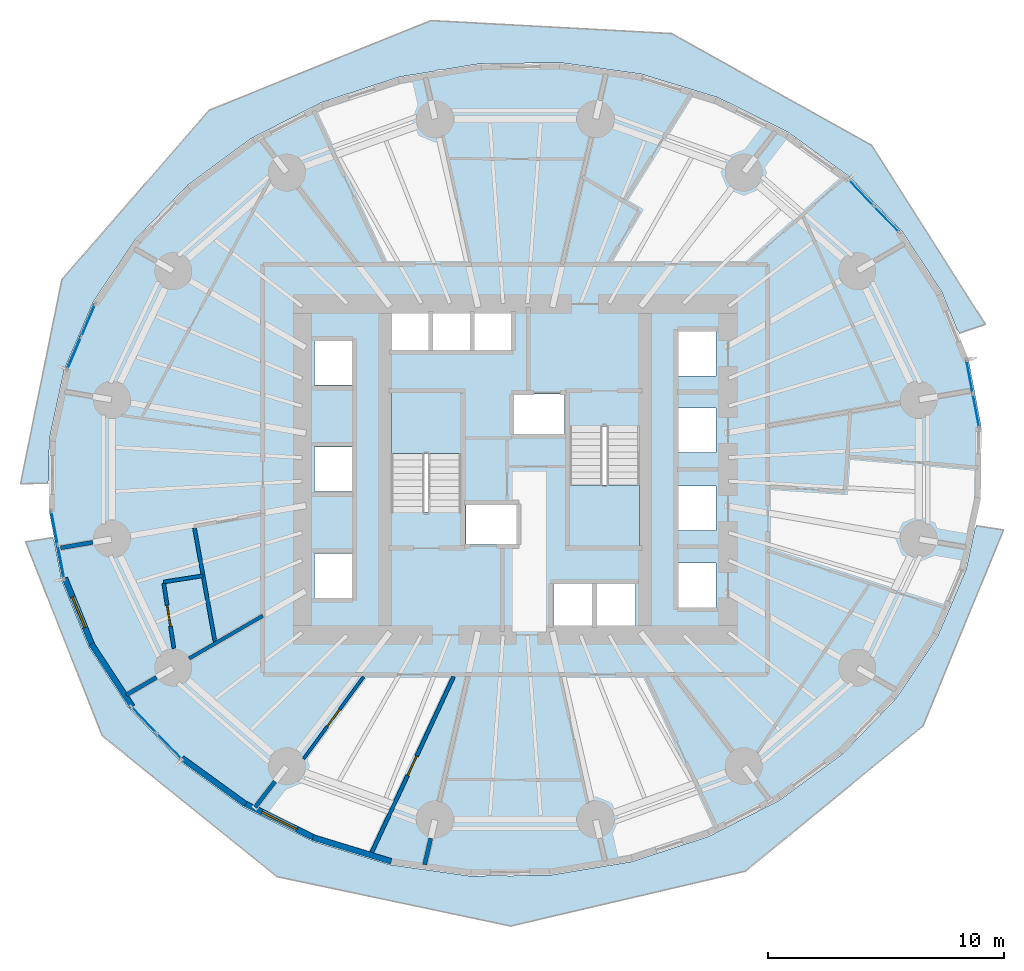
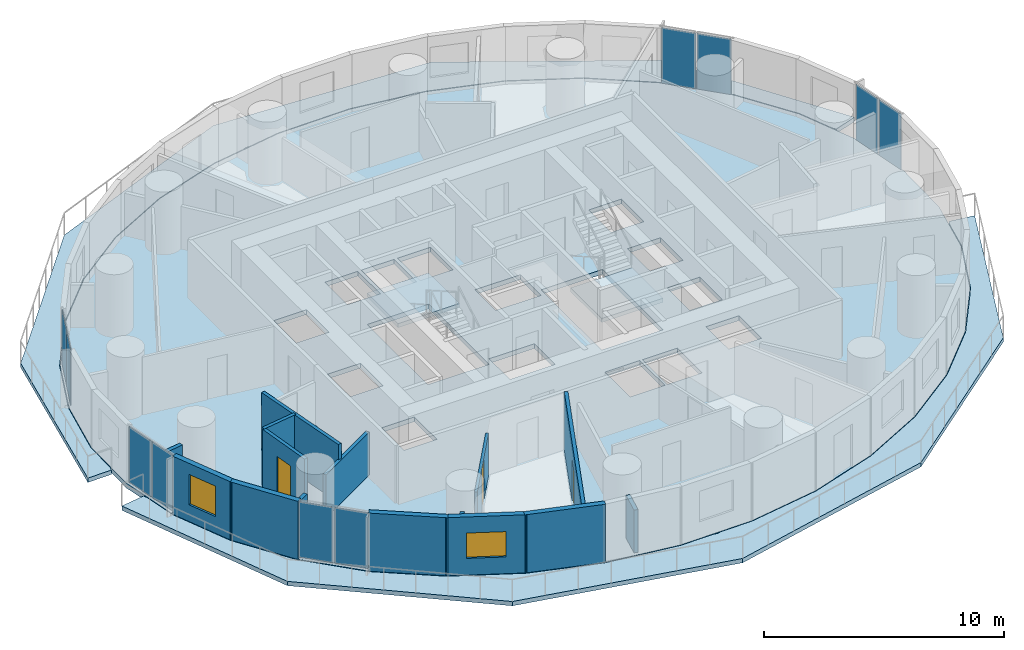
# One storey, part 6 of 14: 15 walls, 10 plates, 5 slabs, 3 doors, 2 windows, 5 openings, 7 elements without a shape of their own.
"""IFC4 building model written with IfcOpenShell, lengths in metres."""

from ifc_helpers import new_model, si_unit, direction, frame, frame_2d, origin, origin_2d, place, context, subcontext, project, spatial, polyline, rectangle, outline, extrude, material, layer, layer_set, type_object, element, fill, aggregate, save


model = new_model("IFC4")

# Units and contexts
model_context = context("Model", 3, precision=1e-05, world=origin(), true_north=direction((0.0, 1.0)))
body_context = subcontext(model_context, "Body", "Model", "MODEL_VIEW")
ifc_project = project(units=[si_unit("LENGTHUNIT", "METRE"), si_unit("AREAUNIT", "SQUARE_METRE"), si_unit("VOLUMEUNIT", "CUBIC_METRE"), si_unit("PLANEANGLEUNIT", "RADIAN"), si_unit("MASSUNIT", "GRAM", prefix="KILO")], contexts=[model_context])

# Site, building, storey
site_placement = place(None, origin())
site = spatial("IfcSite", under=ifc_project, at=site_placement, CompositionType="ELEMENT")
building_placement = place(site_placement, origin())
building = spatial("IfcBuilding", under=site, at=building_placement, Name="Veldorim Arch Residences", CompositionType="ELEMENT")
storey_placement = place(building_placement, frame((0.0, 0.0, 28.0)))
storey = spatial("IfcBuildingStorey", under=building, at=storey_placement, Name="L07", CompositionType="ELEMENT", Elevation=28.0)

# Slabs
ifc_material_1 = material(Name="Concrete C40/50", Category="concrete")
ifc_layer_1 = layer(ifc_material_1, 0.219970703125, Name="Planted Crescent Cantilever Balcony Slab 220")
ifc_layer_set_1 = layer_set([ifc_layer_1], Name="Concrete C40/50")
slab_type_1 = type_object("IfcSlabType", Name="Planted Crescent Cantilever Balcony Slab 220", PredefinedType="FLOOR", material=ifc_layer_set_1)
slab_1_placement = place(storey_placement, frame((0.0, 0.0, -0.219970703125)))
element("IfcSlab", 1, at=slab_1_placement, inside=storey, type_object=slab_type_1, Name="L07 planted crescent balcony slab A", PredefinedType="FLOOR", context=body_context, shape_type="SweptSolid", body=[
    extrude(outline(polyline([(50.68505859375, 29.9228515625), (50.039306640625, 31.50634765625), (48.34521484375, 34.0888671875), (46.154296875, 36.364501953125), (43.533447265625, 38.2646484375), (40.562255859375, 39.731201171875), (37.331298828125, 40.719482421875), (33.9384765625, 41.2001953125), (30.48681640625, 41.158447265625), (28.98876953125, 40.910888671875), (28.791015625, 40.919189453125), (28.60693359375, 40.84765625), (27.0810546875, 40.595458984375), (23.82470703125, 39.5283203125), (20.81640625, 37.989501953125), (18.14794921875, 36.02587890625), (15.900146484375, 33.696533203125), (14.141357421875, 31.072265625), (12.92529296875, 28.23291015625), (12.288818359375, 25.264892578125), (12.268310546875, 23.6015625), (12.219482421875, 23.41748046875), (11.06982421875, 23.393798828125), (12.82080078125, 32.031005859375), (19.05859375, 39.198486328125), (28.426513671875, 42.9873046875), (38.608642578125, 42.4375), (47.082763671875, 37.701171875), (51.885498046875, 30.13818359375), (50.797119140625, 29.767333984375), (50.68505859375, 29.9228515625)])), origin(), (0.0, 0.0, 1.0), 0.219970703125),
])
slab_2_placement = place(storey_placement, frame((0.0, 0.0, -0.219970703125)))
element("IfcSlab", 2, at=slab_2_placement, inside=storey, type_object=slab_type_1, Name="L07 planted crescent balcony slab B", PredefinedType="FLOOR", context=body_context, shape_type="SweptSolid", body=[
    extrude(outline(polyline([(12.503173828125, 20.9384765625), (12.814453125, 19.3046875), (13.960693359375, 16.49365234375), (15.65478515625, 13.9111328125), (17.845703125, 11.635498046875), (20.466552734375, 9.7353515625), (23.437744140625, 8.268798828125), (26.668701171875, 7.280517578125), (30.0615234375, 6.7998046875), (31.6083984375, 6.818359375), (31.8017578125, 6.7802734375), (31.994873046875, 6.822998046875), (33.51318359375, 6.841552734375), (36.9189453125, 7.404541015625), (40.17529296875, 8.4716796875), (43.18359375, 10.010498046875), (45.85205078125, 11.97412109375), (48.099853515625, 14.303466796875), (49.858642578125, 16.927734375), (51.07470703125, 19.76708984375), (51.43310546875, 21.438720703125), (51.516357421875, 21.611572265625), (52.653076171875, 21.43701171875), (49.248046875, 13.150146484375), (41.733642578125, 7.00390625), (31.8046875, 4.680419921875), (21.91845703125, 6.77099609375), (14.5224609375, 12.736083984375), (11.286865234375, 20.93359375), (12.4228515625, 21.111572265625), (12.503173828125, 20.9384765625)])), origin(), (0.0, 0.0, 1.0), 0.219970703125),
])

# Stair, slab
ifc_material_2 = material(Name="Concrete C40/50", Category="concrete")
stair_type = type_object("IfcStairType", Name="Reinforced Concrete Dogleg Exit Staircase", PredefinedType="HALF_TURN_STAIR", material=ifc_material_2)
stair_1_placement = place(storey_placement, origin())
stair_1 = element("IfcStair", 3, at=stair_1_placement, inside=storey, type_object=stair_type, Name="L07 Exit Staircase ST-1", PredefinedType="HALF_TURN_STAIR")
ifc_material_3 = material(Name="Concrete C40/50", Category="concrete")
ifc_layer_2 = layer(ifc_material_3, 0.199951171875, Name="Reinforced Concrete Stair Landing 200")
ifc_layer_set_2 = layer_set([ifc_layer_2], Name="Concrete C40/50")
slab_type_2 = type_object("IfcSlabType", Name="Reinforced Concrete Stair Landing 200", PredefinedType="LANDING", material=ifc_layer_set_2)
slab_3_placement = place(storey_placement, frame((0.0, 0.0, 1.39990234375)))
slab_3 = element("IfcSlab", 4, at=slab_3_placement, type_object=slab_type_2, Name="ST-1 landing 1", PredefinedType="LANDING", context=body_context, shape_type="SweptSolid", body=[
    extrude(outline(polyline([(29.7099609375, 24.669921875), (29.7099609375, 27.25), (26.75, 27.25), (26.75, 24.669921875), (29.7099609375, 24.669921875)])), origin(), (0.0, 0.0, 1.0), 0.2001953125),
])
aggregate(stair_1, [slab_3])

stair_2_placement = place(storey_placement, origin())
stair_2 = element("IfcStair", 5, at=stair_2_placement, inside=storey, type_object=stair_type, Name="L07 Exit Staircase ST-2", PredefinedType="HALF_TURN_STAIR")
slab_4_placement = place(storey_placement, frame((0.0, 0.0, 1.39990234375)))
slab_4 = element("IfcSlab", 6, at=slab_4_placement, type_object=slab_type_2, Name="ST-2 landing 1", PredefinedType="LANDING", context=body_context, shape_type="SweptSolid", body=[
    extrude(outline(polyline([(34.2900390625, 23.330078125), (34.2900390625, 20.75), (37.25, 20.75), (37.25, 23.330078125), (34.2900390625, 23.330078125)])), origin(), (0.0, 0.0, 1.0), 0.2001953125),
])
aggregate(stair_2, [slab_4])

# Slab
ifc_material_4 = material(Name="Concrete C40/50", Category="concrete")
ifc_layer_3 = layer(ifc_material_4, 0.239990234375, Name="Typical Residential Floor Slab 240")
ifc_layer_set_3 = layer_set([ifc_layer_3], Name="Concrete C40/50")
slab_type_3 = type_object("IfcSlabType", Name="Typical Residential Floor Slab 240", PredefinedType="FLOOR", material=ifc_layer_set_3)
slab_5_placement = place(storey_placement, frame((0.0, 0.0, -0.239990234375)))
element("IfcSlab", 7, at=slab_5_placement, inside=storey, type_object=slab_type_3, Name="L07 tower structural floor slab", PredefinedType="FLOOR", context=body_context, shape_type="SweptSolid", body=[
    extrude(outline(polyline([(51.723388671875, 25.739501953125), (51.161376953125, 28.688232421875), (50.01708984375, 31.49462890625), (48.325439453125, 34.0732421875), (46.1376953125, 36.345703125), (43.5205078125, 38.2431640625), (40.552978515625, 39.707763671875), (37.325927734375, 40.695068359375), (33.93701171875, 41.17529296875), (30.489013671875, 41.133544921875), (27.0869140625, 40.571044921875), (23.834228515625, 39.50537109375), (20.82958984375, 37.96826171875), (18.16455078125, 36.0068359375), (15.919677734375, 33.6806640625), (14.16357421875, 31.060302734375), (12.94921875, 28.225341796875), (12.313720703125, 25.26220703125), (12.276611328125, 22.260498046875), (12.838623046875, 19.311767578125), (13.98291015625, 16.50537109375), (15.674560546875, 13.9267578125), (17.8623046875, 11.654296875), (20.4794921875, 9.7568359375), (23.447021484375, 8.292236328125), (26.674072265625, 7.304931640625), (30.06298828125, 6.82470703125), (33.510986328125, 6.866455078125), (36.9130859375, 7.428955078125), (40.165771484375, 8.49462890625), (43.17041015625, 10.03173828125), (45.83544921875, 11.9931640625), (48.080322265625, 14.3193359375), (49.83642578125, 16.939697265625), (51.05078125, 19.774658203125), (51.686279296875, 22.73779296875), (51.723388671875, 25.739501953125)]), holes=[polyline([(23.510009765625, 20.43994140625), (25.090087890625, 20.43994140625), (25.090087890625, 18.56005859375), (23.510009765625, 18.56005859375), (23.510009765625, 20.43994140625)]), polyline([(29.909912109375, 22.544921875), (32.090087890625, 22.544921875), (32.090087890625, 20.81494140625), (29.909912109375, 20.81494140625), (29.909912109375, 22.544921875)]), polyline([(23.510009765625, 24.93994140625), (25.090087890625, 24.93994140625), (25.090087890625, 23.06005859375), (23.510009765625, 23.06005859375), (23.510009765625, 24.93994140625)]), polyline([(26.75, 27.25), (29.7099609375, 27.25), (29.7099609375, 22.195068359375), (26.75, 22.195068359375), (26.75, 27.25)]), polyline([(23.510009765625, 29.43994140625), (25.090087890625, 29.43994140625), (25.090087890625, 27.56005859375), (23.510009765625, 27.56005859375), (23.510009765625, 29.43994140625)]), polyline([(26.760009765625, 30.7900390625), (28.340087890625, 30.7900390625), (28.340087890625, 28.909912109375), (26.760009765625, 28.909912109375), (26.760009765625, 30.7900390625)]), polyline([(28.510009765625, 30.7900390625), (30.090087890625, 30.7900390625), (30.090087890625, 28.909912109375), (28.510009765625, 28.909912109375), (28.510009765625, 30.7900390625)]), polyline([(30.260009765625, 30.7900390625), (31.840087890625, 30.7900390625), (31.840087890625, 28.909912109375), (30.260009765625, 28.909912109375), (30.260009765625, 30.7900390625)]), polyline([(33.610107421875, 19.2900390625), (35.2900390625, 19.2900390625), (35.2900390625, 17.2099609375), (33.610107421875, 17.2099609375), (33.610107421875, 19.2900390625)]), polyline([(35.409912109375, 19.2900390625), (37.090087890625, 19.2900390625), (37.090087890625, 17.2099609375), (35.409912109375, 17.2099609375), (35.409912109375, 19.2900390625)]), polyline([(38.909912109375, 20.0400390625), (40.489990234375, 20.0400390625), (40.489990234375, 18.159912109375), (38.909912109375, 18.159912109375), (38.909912109375, 20.0400390625)]), polyline([(38.909912109375, 23.2900390625), (40.489990234375, 23.2900390625), (40.489990234375, 21.409912109375), (38.909912109375, 21.409912109375), (38.909912109375, 23.2900390625)]), polyline([(34.2900390625, 25.804931640625), (37.25, 25.804931640625), (37.25, 20.75), (34.2900390625, 20.75), (34.2900390625, 25.804931640625)]), polyline([(38.909912109375, 26.590087890625), (40.489990234375, 26.590087890625), (40.489990234375, 24.7099609375), (38.909912109375, 24.7099609375), (38.909912109375, 26.590087890625)]), polyline([(31.909912109375, 27.18505859375), (34.090087890625, 27.18505859375), (34.090087890625, 25.455078125), (31.909912109375, 25.455078125), (31.909912109375, 27.18505859375)]), polyline([(38.909912109375, 29.840087890625), (40.489990234375, 29.840087890625), (40.489990234375, 27.9599609375), (38.909912109375, 27.9599609375), (38.909912109375, 29.840087890625)])]), origin(), (0.0, 0.0, 1.0), 0.239990234375),
])

# Curtain wall, plates
ifc_material_5 = material(Name="Aluminium", Category="aluminium")
curtain_wall_type = type_object("IfcCurtainWallType", Name="Zone 1 Acoustic Low-E Unitised Curtain Wall", PredefinedType="NOTDEFINED", material=ifc_material_5)
curtain_wall_1_placement = place(storey_placement, origin())
curtain_wall_1 = element("IfcCurtainWall", 8, at=curtain_wall_1_placement, inside=storey, type_object=curtain_wall_type, Name="L07 unitised curtain wall bay 01", PredefinedType="NOTDEFINED")
ifc_material_6 = material(Name="Laminated Low-E Glass", Category="glass")
ifc_layer_4 = layer(ifc_material_6, 0.02587890625, Name="Zone 1 Acoustic Low-E Unitised Curtain Wall Glazing Panel 26")
ifc_layer_set_4 = layer_set([ifc_layer_4], Name="Laminated Low-E Glass")
plate_type = type_object("IfcPlateType", Name="Zone 1 Acoustic Low-E Unitised Curtain Wall Glazing Panel 26", PredefinedType="CURTAIN_PANEL", material=ifc_layer_set_4)
plate_1_placement = place(storey_placement, frame((51.216552734375, 27.918212890625, 0.06494140625), z_axis=(0.0, 0.0, 1.0), x_axis=(0.187222325819, -0.982317566124, 0.0)))
plate_1 = element("IfcPlate", 9, at=plate_1_placement, type_object=plate_type, Name="CW-Z1 panel 1.1", PredefinedType="CURTAIN_PANEL", context=body_context, shape_type="SweptSolid", body=[
    extrude(rectangle(XDim=1.4033203125, YDim=0.02587890625, at=origin_2d()), origin(), (0.0, 0.0, 1.0), 2.830078125),
])
plate_2_placement = place(storey_placement, frame((51.491455078125, 26.475830078125, 0.06494140625), z_axis=(0.0, 0.0, 1.0), x_axis=(0.187222325819, -0.982317566124, 0.0)))
plate_2 = element("IfcPlate", 10, at=plate_2_placement, type_object=plate_type, Name="CW-Z1 panel 2.1", PredefinedType="CURTAIN_PANEL", context=body_context, shape_type="SweptSolid", body=[
    extrude(rectangle(XDim=1.4033203125, YDim=0.02587890625, at=origin_2d()), origin(), (0.0, 0.0, 1.0), 2.830078125),
])
aggregate(curtain_wall_1, [plate_1, plate_2])

curtain_wall_2_placement = place(storey_placement, origin())
curtain_wall_2 = element("IfcCurtainWall", 11, at=curtain_wall_2_placement, inside=storey, type_object=curtain_wall_type, Name="L07 unitised curtain wall bay 04", PredefinedType="NOTDEFINED")
plate_3_placement = place(storey_placement, frame((46.631103515625, 35.703369140625, 0.06494140625), z_axis=(0.0, 0.0, 1.0), x_axis=(0.693537504278, -0.720420523139, 0.0)))
plate_3 = element("IfcPlate", 12, at=plate_3_placement, type_object=plate_type, Name="CW-Z1 panel 1.1", PredefinedType="CURTAIN_PANEL", context=body_context, shape_type="SweptSolid", body=[
    extrude(rectangle(XDim=1.479736328125, YDim=0.02587890625, at=origin_2d()), origin(), (0.0, 0.0, 1.0), 2.830078125),
])
plate_4_placement = place(storey_placement, frame((47.702392578125, 34.590576171875, 0.06494140625), z_axis=(0.0, 0.0, 1.0), x_axis=(0.693537504278, -0.720420523139, 0.0)))
plate_4 = element("IfcPlate", 13, at=plate_4_placement, type_object=plate_type, Name="CW-Z1 panel 2.1", PredefinedType="CURTAIN_PANEL", context=body_context, shape_type="SweptSolid", body=[
    extrude(rectangle(XDim=1.479736328125, YDim=0.02587890625, at=origin_2d()), origin(), (0.0, 0.0, 1.0), 2.830078125),
])
aggregate(curtain_wall_2, [plate_3, plate_4])

curtain_wall_3_placement = place(storey_placement, origin())
curtain_wall_3 = element("IfcCurtainWall", 14, at=curtain_wall_3_placement, inside=storey, type_object=curtain_wall_type, Name="L07 unitised curtain wall bay 16", PredefinedType="NOTDEFINED")
plate_5_placement = place(storey_placement, frame((13.341796875, 28.91357421875, 0.06494140625), z_axis=(0.0, 0.0, 1.0), x_axis=(0.393739275232, 0.919222162015, 0.0)))
plate_5 = element("IfcPlate", 15, at=plate_5_placement, type_object=plate_type, Name="CW-Z1 panel 1.1", PredefinedType="CURTAIN_PANEL", context=body_context, shape_type="SweptSolid", body=[
    extrude(rectangle(XDim=1.444580078125, YDim=0.02587890625, at=origin_2d()), origin(), (0.0, 0.0, 1.0), 2.830078125),
])
plate_6_placement = place(storey_placement, frame((13.936279296875, 30.30126953125, 0.06494140625), z_axis=(0.0, 0.0, 1.0), x_axis=(0.393739275232, 0.919222162015, 0.0)))
plate_6 = element("IfcPlate", 16, at=plate_6_placement, type_object=plate_type, Name="CW-Z1 panel 2.1", PredefinedType="CURTAIN_PANEL", context=body_context, shape_type="SweptSolid", body=[
    extrude(rectangle(XDim=1.444580078125, YDim=0.02587890625, at=origin_2d()), origin(), (0.0, 0.0, 1.0), 2.830078125),
])
aggregate(curtain_wall_3, [plate_5, plate_6])

curtain_wall_4_placement = place(storey_placement, origin())
curtain_wall_4 = element("IfcCurtainWall", 17, at=curtain_wall_4_placement, inside=storey, type_object=curtain_wall_type, Name="L07 unitised curtain wall bay 19", PredefinedType="NOTDEFINED")
plate_7_placement = place(storey_placement, frame((12.783447265625, 20.081787109375, 0.06494140625), z_axis=(0.0, 0.0, 1.0), x_axis=(-0.187222325819, 0.982317566124, 0.0)))
plate_7 = element("IfcPlate", 18, at=plate_7_placement, type_object=plate_type, Name="CW-Z1 panel 1.1", PredefinedType="CURTAIN_PANEL", context=body_context, shape_type="SweptSolid", body=[
    extrude(rectangle(XDim=1.4033203125, YDim=0.02587890625, at=origin_2d()), origin(), (0.0, 0.0, 1.0), 2.830078125),
])
plate_8_placement = place(storey_placement, frame((12.508544921875, 21.524169921875, 0.06494140625), z_axis=(0.0, 0.0, 1.0), x_axis=(-0.187222325819, 0.982317566124, 0.0)))
plate_8 = element("IfcPlate", 19, at=plate_8_placement, type_object=plate_type, Name="CW-Z1 panel 2.1", PredefinedType="CURTAIN_PANEL", context=body_context, shape_type="SweptSolid", body=[
    extrude(rectangle(XDim=1.4033203125, YDim=0.02587890625, at=origin_2d()), origin(), (0.0, 0.0, 1.0), 2.830078125),
])
aggregate(curtain_wall_4, [plate_7, plate_8])

curtain_wall_5_placement = place(storey_placement, origin())
curtain_wall_5 = element("IfcCurtainWall", 20, at=curtain_wall_5_placement, inside=storey, type_object=curtain_wall_type, Name="L07 unitised curtain wall bay 22", PredefinedType="NOTDEFINED")
plate_9_placement = place(storey_placement, frame((17.368896484375, 12.296630859375, 0.06494140625), z_axis=(0.0, 0.0, 1.0), x_axis=(-0.693537504278, 0.720420523139, 0.0)))
plate_9 = element("IfcPlate", 21, at=plate_9_placement, type_object=plate_type, Name="CW-Z1 panel 1.1", PredefinedType="CURTAIN_PANEL", context=body_context, shape_type="SweptSolid", body=[
    extrude(rectangle(XDim=1.479736328125, YDim=0.02587890625, at=origin_2d()), origin(), (0.0, 0.0, 1.0), 2.830078125),
])
plate_10_placement = place(storey_placement, frame((16.297607421875, 13.409423828125, 0.06494140625), z_axis=(0.0, 0.0, 1.0), x_axis=(-0.693537504278, 0.720420523139, 0.0)))
plate_10 = element("IfcPlate", 22, at=plate_10_placement, type_object=plate_type, Name="CW-Z1 panel 2.1", PredefinedType="CURTAIN_PANEL", context=body_context, shape_type="SweptSolid", body=[
    extrude(rectangle(XDim=1.479736328125, YDim=0.02587890625, at=origin_2d()), origin(), (0.0, 0.0, 1.0), 2.830078125),
])
aggregate(curtain_wall_5, [plate_9, plate_10])

# Wall, opening, door
ifc_material_7 = material(Name="Acoustic Gypsum Board", Category="gypsum")
ifc_layer_5 = layer(ifc_material_7, 0.125, Name="Acoustic Stud Room Partition Wall 125")
ifc_layer_set_5 = layer_set([ifc_layer_5], Name="Acoustic Gypsum Board")
wall_type_1 = type_object("IfcWallType", Name="Acoustic Stud Room Partition Wall 125", PredefinedType="PARTITIONING", material=ifc_layer_set_5)
wall_1_placement = place(storey_placement, frame((23.03759765625, 11.747314453125, 0.0), z_axis=(0.0, 0.0, 1.0), x_axis=(0.590387510638, 0.807119933642, 0.0)))
wall_1 = element("IfcWall", 23, at=wall_1_placement, inside=storey, type_object=wall_type_1, Name="L07 interior wall WL-RES-L07-009", PredefinedType="PARTITIONING", context=body_context, shape_type="SweptSolid", body=[
    extrude(rectangle(XDim=4.306396484375, YDim=0.125, at=frame_2d((2.1533203125, 0.0))), origin(), (0.0, 0.0, 1.0), 2.17822265625),
])
opening_1_placement = place(wall_1_placement, frame((1.703125, 0.0, 0.0)))
opening_1 = element("IfcOpeningElement", 24, at=opening_1_placement, cuts=wall_1, Name="Opening DR-INT", PredefinedType="OPENING", context=body_context, shape_type="SweptSolid", body=[
    extrude(rectangle(XDim=0.89990234375, YDim=2.10009765625, at=frame_2d((0.449951171875, 1.050048828125))), frame((0.0, 0.072509765625, 0.0), z_axis=(0.0, -1.0, 0.0), x_axis=(1.0, 0.0, 0.0)), (0.0, 0.0, 1.0), 0.14501953125),
])
ifc_material_8 = material(Name="Engineered Timber", Category="wood")
door_type_1 = type_object("IfcDoorType", Name="Apartment Internal Room Timber Door 900x2100", OperationType="SINGLE_SWING_LEFT", PredefinedType="DOOR", material=ifc_material_8)
door_1_placement = place(opening_1_placement, origin())
door_1 = element("IfcDoor", 25, at=door_1_placement, inside=storey, type_object=door_type_1, Name="L07 interior door DR-RES-L07-003", OperationType="SINGLE_SWING_LEFT", OverallHeight=2.10009765625, OverallWidth=0.89990234375, PredefinedType="DOOR", context=body_context, shape_type="SweptSolid", body=[
    extrude(rectangle(XDim=0.89990234375, YDim=2.10009765625, at=frame_2d((0.449951171875, 1.050048828125))), frame((0.0, 0.02490234375, 0.0), z_axis=(0.0, -1.0, 0.0), x_axis=(1.0, 0.0, 0.0)), (0.0, 0.0, 1.0), 0.050048828125),
])
fill(opening_1, door_1)

# Walls
ifc_material_9 = material(Name="Lightweight Masonry Block & Gypsum", Category="masonry")
ifc_layer_6 = layer(ifc_material_9, 0.179931640625, Name="Compartment & Corridor Fire-Rated Party Wall 180")
ifc_layer_set_6 = layer_set([ifc_layer_6], Name="Lightweight Masonry Block & Gypsum")
wall_type_2 = type_object("IfcWallType", Name="Compartment & Corridor Fire-Rated Party Wall 180", PredefinedType="PARTITIONING", material=ifc_layer_set_6)
wall_2_placement = place(storey_placement, frame((14.126220703125, 20.91455078125, 0.0), z_axis=(0.0, 0.0, 1.0), x_axis=(-0.985429571056, -0.170083980696, 0.0)))
element("IfcWall", 26, at=wall_2_placement, inside=storey, type_object=wall_type_2, Name="L07 interior wall WL-PIER-L07-09", PredefinedType="PARTITIONING", context=body_context, shape_type="SweptSolid", body=[
    extrude(rectangle(XDim=1.38525390625, YDim=0.179931640625, at=frame_2d((0.692626953125, 0.0))), origin(), (0.0, 0.0, 1.0), 2.17822265625),
])
wall_3_placement = place(storey_placement, frame((16.822998046875, 15.19970703125, 0.0), z_axis=(0.0, 0.0, 1.0), x_axis=(-0.865049792178, -0.501686014408, 0.0)))
element("IfcWall", 27, at=wall_3_placement, inside=storey, type_object=wall_type_2, Name="L07 interior wall WL-PIER-L07-10", PredefinedType="PARTITIONING", context=body_context, shape_type="SweptSolid", body=[
    extrude(rectangle(XDim=1.48095703125, YDim=0.179931640625, at=frame_2d((0.740478515625, 0.0))), origin(), (0.0, 0.0, 1.0), 2.17822265625),
])
wall_4_placement = place(storey_placement, frame((21.832763671875, 10.795166015625, 0.0), z_axis=(0.0, 0.0, 1.0), x_axis=(-0.609967804345, -0.792426196982, 0.0)))
element("IfcWall", 28, at=wall_4_placement, inside=storey, type_object=wall_type_2, Name="L07 interior wall WL-PIER-L07-11", PredefinedType="PARTITIONING", context=body_context, shape_type="SweptSolid", body=[
    extrude(rectangle(XDim=1.376953125, YDim=0.179931640625, at=frame_2d((0.6884765625, 0.0))), origin(), (0.0, 0.0, 1.0), 2.17822265625),
])
wall_5_placement = place(storey_placement, frame((28.422119140625, 8.390869140625, 0.0), z_axis=(0.0, 0.0, 1.0), x_axis=(-0.223317049761, -0.974745861897, 0.0)))
element("IfcWall", 29, at=wall_5_placement, inside=storey, type_object=wall_type_2, Name="L07 interior wall WL-PIER-L07-12", PredefinedType="PARTITIONING", context=body_context, shape_type="SweptSolid", body=[
    extrude(rectangle(XDim=1.14453125, YDim=0.179931640625, at=frame_2d((0.572265625, 0.0))), origin(), (0.0, 0.0, 1.0), 2.17822265625),
])

# Wall, opening, window
ifc_material_10 = material(Name="Precast concrete C40/50", Category="concrete")
ifc_layer_7 = layer(ifc_material_10, 0.25, Name="Tower Terracotta Spandrel & Pier Wall 250")
ifc_layer_set_7 = layer_set([ifc_layer_7], Name="Precast concrete C40/50")
wall_type_3 = type_object("IfcWallType", Name="Tower Terracotta Spandrel & Pier Wall 250", PredefinedType="SOLIDWALL", material=ifc_layer_set_7)
wall_6_placement = place(storey_placement, frame((14.115478515625, 16.510986328125, 0.0), z_axis=(0.0, 0.0, 1.0), x_axis=(-0.377493207518, 0.926012353199, 0.0)))
wall_6 = element("IfcWall", 30, at=wall_6_placement, inside=storey, type_object=wall_type_3, Name="L07 terracotta facade wall 20", PredefinedType="SOLIDWALL", context=body_context, shape_type="SweptSolid", body=[
    extrude(rectangle(XDim=3.12060546875, YDim=0.25, at=frame_2d((1.560302734375, 0.0))), origin(), (0.0, 0.0, 1.0), 2.9599609375),
])
opening_2_placement = place(wall_6_placement, frame((0.860107421875, 0.0, 0.85009765625)))
opening_2 = element("IfcOpeningElement", 31, at=opening_2_placement, cuts=wall_6, Name="Opening WN-02", PredefinedType="OPENING", context=body_context, shape_type="SweptSolid", body=[
    extrude(rectangle(XDim=1.39990234375, YDim=1.550048828125, at=frame_2d((0.699951171875, 0.77490234375))), frame((0.0, 0.135009765625, 0.0), z_axis=(0.0, -1.0, 0.0), x_axis=(1.0, 0.0, 0.0)), (0.0, 0.0, 1.0), 0.27001953125),
])
ifc_material_11 = material(Name="Laminated Low-E Glass", Category="glass")
window_type_1 = type_object("IfcWindowType", Name="Residential Casement Window 1400x1550", PartitioningType="SINGLE_PANEL", PredefinedType="WINDOW", material=ifc_material_11)
window_1_placement = place(opening_2_placement, origin())
window_1 = element("IfcWindow", 32, at=window_1_placement, inside=storey, type_object=window_type_1, Name="L07 solar-control facade window 20", OverallHeight=1.550048828125, OverallWidth=1.39990234375, PartitioningType="SINGLE_PANEL", PredefinedType="WINDOW", context=body_context, shape_type="SweptSolid", body=[
    extrude(rectangle(XDim=1.39990234375, YDim=1.550048828125, at=frame_2d((0.699951171875, 0.77490234375))), frame((0.0, 0.030029296875, 0.0), z_axis=(0.0, -1.0, 0.0), x_axis=(1.0, 0.0, 0.0)), (0.0, 0.0, 1.0), 0.06005859375),
])
fill(opening_2, window_1)

# Walls
wall_7_placement = place(storey_placement, frame((15.8037109375, 13.957763671875, 0.0), z_axis=(0.0, 0.0, 1.0), x_axis=(-0.548579153619, 0.836098625889, 0.0)))
element("IfcWall", 33, at=wall_7_placement, inside=storey, type_object=wall_type_3, Name="L07 terracotta facade wall 21", PredefinedType="SOLIDWALL", context=body_context, shape_type="SweptSolid", body=[
    extrude(rectangle(XDim=3.174072265625, YDim=0.25, at=frame_2d((1.5869140625, 0.0))), origin(), (0.0, 0.0, 1.0), 2.9599609375),
])
wall_8_placement = place(storey_placement, frame((20.58935546875, 9.831787109375, 0.0), z_axis=(0.0, 0.0, 1.0), x_axis=(-0.809637503316, 0.58693024562, 0.0)))
element("IfcWall", 34, at=wall_8_placement, inside=storey, type_object=wall_type_3, Name="L07 terracotta facade wall 23", PredefinedType="SOLIDWALL", context=body_context, shape_type="SweptSolid", body=[
    extrude(rectangle(XDim=3.32275390625, YDim=0.25, at=frame_2d((1.661376953125, 0.0))), origin(), (0.0, 0.0, 1.0), 2.9599609375),
])

# Wall, opening, window
wall_9_placement = place(storey_placement, frame((23.54248046875, 8.384521484375, 0.0), z_axis=(0.0, 0.0, 1.0), x_axis=(-0.896727977212, 0.442582122193, 0.0)))
wall_9 = element("IfcWall", 35, at=wall_9_placement, inside=storey, type_object=wall_type_3, Name="L07 terracotta facade wall 24", PredefinedType="SOLIDWALL", context=body_context, shape_type="SweptSolid", body=[
    extrude(rectangle(XDim=3.399169921875, YDim=0.25, at=frame_2d((1.69970703125, 0.0))), origin(), (0.0, 0.0, 1.0), 2.9599609375),
])
opening_3_placement = place(wall_9_placement, frame((0.875, 0.0, 0.85009765625)))
opening_3 = element("IfcOpeningElement", 36, at=opening_3_placement, cuts=wall_9, Name="Opening WN-03", PredefinedType="OPENING", context=body_context, shape_type="SweptSolid", body=[
    extrude(rectangle(XDim=1.64990234375, YDim=1.2900390625, at=frame_2d((0.824951171875, 0.64501953125))), frame((0.0, 0.135009765625, 0.0), z_axis=(0.0, -1.0, 0.0), x_axis=(1.0, 0.0, 0.0)), (0.0, 0.0, 1.0), 0.27001953125),
])
ifc_material_12 = material(Name="Laminated Low-E Glass", Category="glass")
window_type_2 = type_object("IfcWindowType", Name="Residential Wide Window 1650x1550", PartitioningType="SINGLE_PANEL", PredefinedType="WINDOW", material=ifc_material_12)
window_2_placement = place(opening_3_placement, origin())
window_2 = element("IfcWindow", 37, at=window_2_placement, inside=storey, type_object=window_type_2, Name="L07 solar-control facade window 24", OverallHeight=1.2900390625, OverallWidth=1.64990234375, PartitioningType="SINGLE_PANEL", PredefinedType="WINDOW", context=body_context, shape_type="SweptSolid", body=[
    extrude(rectangle(XDim=1.64990234375, YDim=1.2900390625, at=frame_2d((0.824951171875, 0.64501953125))), frame((0.0, 0.030029296875, 0.0), z_axis=(0.0, -1.0, 0.0), x_axis=(1.0, 0.0, 0.0)), (0.0, 0.0, 1.0), 0.06005859375),
])
fill(opening_3, window_2)

# Wall
wall_10_placement = place(storey_placement, frame((26.753662109375, 7.411376953125, 0.0), z_axis=(0.0, 0.0, 1.0), x_axis=(-0.956266745267, 0.292496003213, 0.0)))
element("IfcWall", 38, at=wall_10_placement, inside=storey, type_object=wall_type_3, Name="L07 terracotta facade wall 25", PredefinedType="SOLIDWALL", context=body_context, shape_type="SweptSolid", body=[
    extrude(rectangle(XDim=3.46484375, YDim=0.25, at=frame_2d((1.732421875, 0.0))), origin(), (0.0, 0.0, 1.0), 2.9599609375),
])

# Wall, opening, door
ifc_material_13 = material(Name="Moisture-Resistant Gypsum & Stud", Category="gypsum")
ifc_layer_8 = layer(ifc_material_13, 0.159912109375, Name="Wet-Area Moisture-Resistant Plumbing Wall 160")
ifc_layer_set_8 = layer_set([ifc_layer_8], Name="Moisture-Resistant Gypsum & Stud")
wall_type_4 = type_object("IfcWallType", Name="Wet-Area Moisture-Resistant Plumbing Wall 160", PredefinedType="PLUMBINGWALL", material=ifc_layer_set_8)
wall_11_placement = place(storey_placement, frame((29.389892578125, 15.229248046875, 0.0), z_axis=(0.0, 0.0, 1.0), x_axis=(-0.421930101453, -0.906628363492, 0.0)))
wall_11 = element("IfcWall", 39, at=wall_11_placement, inside=storey, type_object=wall_type_4, Name="L07 interior wall WL-RES-L07-008", PredefinedType="PLUMBINGWALL", context=body_context, shape_type="SweptSolid", body=[
    extrude(rectangle(XDim=8.31201171875, YDim=0.159912109375, at=frame_2d((4.156005859375, 0.0))), origin(), (0.0, 0.0, 1.0), 2.955078125),
])
opening_4_placement = place(wall_11_placement, frame((3.7060546875, 0.0, 0.0)))
opening_4 = element("IfcOpeningElement", 40, at=opening_4_placement, cuts=wall_11, Name="Opening DR-WC", PredefinedType="OPENING", context=body_context, shape_type="SweptSolid", body=[
    extrude(rectangle(XDim=0.89990234375, YDim=2.10009765625, at=frame_2d((0.449951171875, 1.050048828125))), frame((0.0, 0.08984375, 0.0), z_axis=(0.0, -1.0, 0.0), x_axis=(1.0, 0.0, 0.0)), (0.0, 0.0, 1.0), 0.179931640625),
])
ifc_material_14 = material(Name="Laminate Timber", Category="wood")
door_type_2 = type_object("IfcDoorType", Name="Bathroom & Accessible WC Moisture-Sealed Door 900x2100", OperationType="SINGLE_SWING_LEFT", PredefinedType="DOOR", material=ifc_material_14)
door_2_placement = place(opening_4_placement, origin())
door_2 = element("IfcDoor", 41, at=door_2_placement, inside=storey, type_object=door_type_2, Name="L07 interior door DR-RES-L07-002", OperationType="SINGLE_SWING_RIGHT", OverallHeight=2.10009765625, OverallWidth=0.89990234375, PredefinedType="DOOR", context=body_context, shape_type="SweptSolid", body=[
    extrude(rectangle(XDim=0.89990234375, YDim=2.10009765625, at=frame_2d((0.449951171875, 1.050048828125))), frame((0.0, 0.02490234375, 0.0), z_axis=(0.0, -1.0, 0.0), x_axis=(1.0, 0.0, 0.0)), (0.0, 0.0, 1.0), 0.050048828125),
])
fill(opening_4, door_2)

# Walls
wall_12_placement = place(storey_placement, frame((18.20166015625, 15.9990234375, 0.0), z_axis=(0.0, 0.0, 1.0), x_axis=(0.865099964078, 0.501599493773, 0.0)))
element("IfcWall", 42, at=wall_12_placement, inside=storey, type_object=wall_type_4, Name="L07 interior wall WL-RES-L07-011", PredefinedType="PLUMBINGWALL", context=body_context, shape_type="SweptSolid", body=[
    extrude(rectangle(XDim=3.604736328125, YDim=0.159912109375, at=frame_2d((1.80224609375, 0.0))), origin(), (0.0, 0.0, 1.0), 2.17822265625),
])
wall_13_placement = place(storey_placement, frame((18.79248046875, 19.497802734375, 0.0), z_axis=(0.0, 0.0, 1.0), x_axis=(-0.988061441457, -0.154060338524, 0.0)))
element("IfcWall", 43, at=wall_13_placement, inside=storey, type_object=wall_type_4, Name="L07 interior wall WL-RES-L07-032", PredefinedType="PLUMBINGWALL", context=body_context, shape_type="SweptSolid", body=[
    extrude(rectangle(XDim=1.694091796875, YDim=0.159912109375, at=frame_2d((0.84716796875, 0.0))), origin(), (0.0, 0.0, 1.0), 2.955078125),
])

# Wall, opening, door
wall_14_placement = place(storey_placement, frame((17.127685546875, 19.177490234375, 0.0), z_axis=(0.0, 0.0, 1.0), x_axis=(0.154135750111, -0.988049680197, 0.0)))
wall_14 = element("IfcWall", 44, at=wall_14_placement, inside=storey, type_object=wall_type_4, Name="L07 interior wall WL-RES-L07-033", PredefinedType="PLUMBINGWALL", context=body_context, shape_type="SweptSolid", body=[
    extrude(rectangle(XDim=2.77978515625, YDim=0.159912109375, at=frame_2d((1.389892578125, 0.0))), origin(), (0.0, 0.0, 1.0), 2.955078125),
])
opening_5_placement = place(wall_14_placement, frame((0.939697265625, 0.0, 0.0)))
opening_5 = element("IfcOpeningElement", 45, at=opening_5_placement, cuts=wall_14, Name="Opening DR-WC", PredefinedType="OPENING", context=body_context, shape_type="SweptSolid", body=[
    extrude(rectangle(XDim=0.89990234375, YDim=2.10009765625, at=frame_2d((0.449951171875, 1.050048828125))), frame((0.0, 0.08984375, 0.0), z_axis=(0.0, -1.0, 0.0), x_axis=(1.0, 0.0, 0.0)), (0.0, 0.0, 1.0), 0.179931640625),
])
door_3_placement = place(opening_5_placement, origin())
door_3 = element("IfcDoor", 46, at=door_3_placement, inside=storey, type_object=door_type_2, Name="L07 interior door DR-RES-L07-023", OperationType="SINGLE_SWING_LEFT", OverallHeight=2.10009765625, OverallWidth=0.89990234375, PredefinedType="DOOR", context=body_context, shape_type="SweptSolid", body=[
    extrude(rectangle(XDim=0.89990234375, YDim=2.10009765625, at=frame_2d((0.449951171875, 1.050048828125))), frame((0.0, 0.02490234375, 0.0), z_axis=(0.0, -1.0, 0.0), x_axis=(1.0, 0.0, 0.0)), (0.0, 0.0, 1.0), 0.050048828125),
])
fill(opening_5, door_3)

# Wall
wall_15_placement = place(storey_placement, frame((18.426025390625, 21.527099609375, 0.0), z_axis=(0.0, 0.0, 1.0), x_axis=(0.177634916986, -0.98409645679, 0.0)))
element("IfcWall", 47, at=wall_15_placement, inside=storey, type_object=wall_type_4, Name="L07 interior wall WL-RES-L07-036", PredefinedType="PLUMBINGWALL", context=body_context, shape_type="SweptSolid", body=[
    extrude(rectangle(XDim=4.965576171875, YDim=0.159912109375, at=frame_2d((2.48291015625, 0.0))), origin(), (0.0, 0.0, 1.0), 2.955078125),
])

save(model, "model.ifc")
